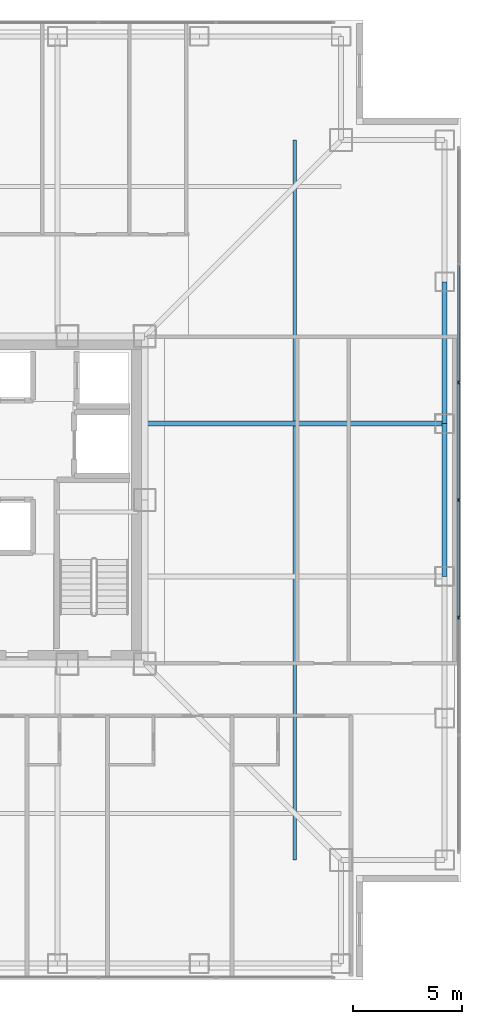
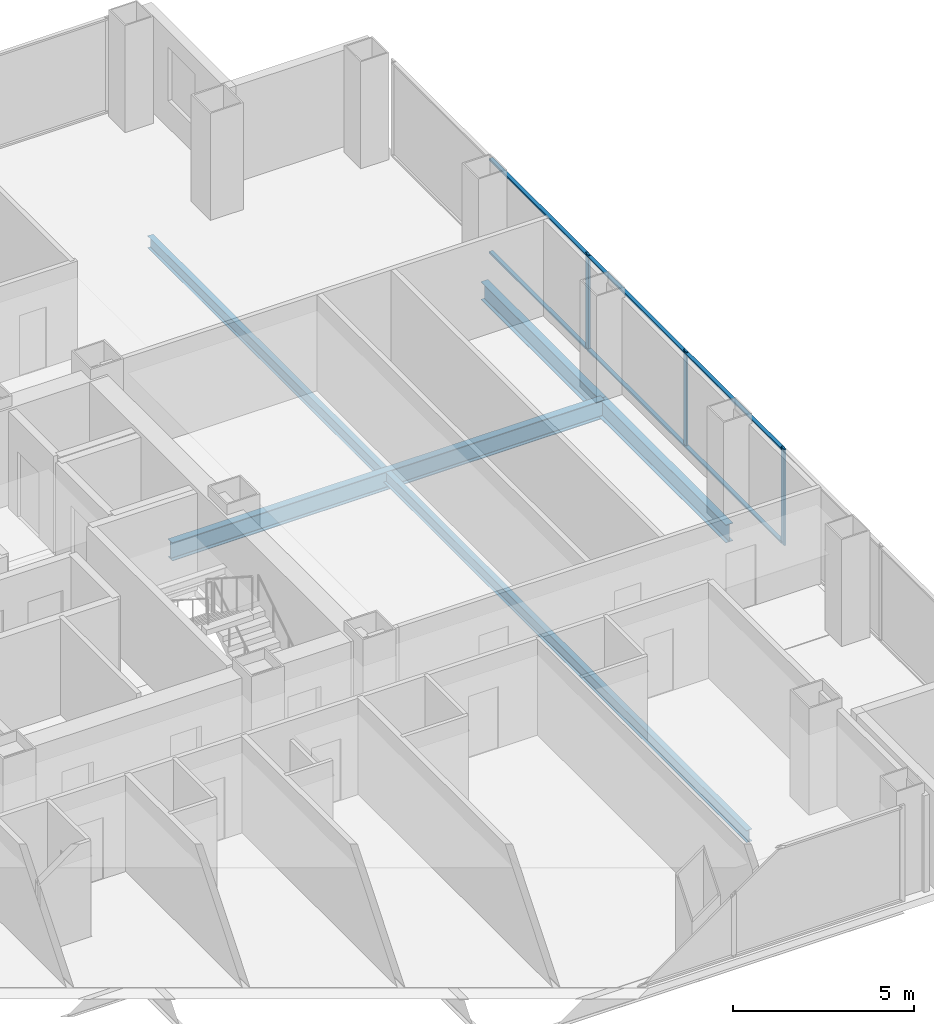
# One storey, part 8 of 18: 9 members, 4 beams, 1 element without a shape of its own.
"""IFC4 building model written with IfcOpenShell, lengths in metres."""

import ifcopenshell
import ifcopenshell.guid

model = None  # the IFC model being written
_history = None  # IfcOwnerHistory: only IFC2X3 demands one
_inside = {}  # id of a spatial element -> (the spatial element, [elements in it])
_under = {}  # id of a project, library or spatial element -> (it, [spatial elements below it])
_declared = {}  # id of a project -> (the project, [libraries it declares])
_typed = {}  # id of a type object -> (the type object, [elements of that type])
_made_of = {}  # id of a material, layer set ... -> (it, [elements and type objects made of it])


def new_model(schema):
    """Start an empty IFC model of exactly this schema.

    Asked for "IFC4X3", IfcOpenShell would pick the latest addendum, in which some entities
    have other attributes; the version numbers below select the first issue.
    IFC2X3 requires an IfcOwnerHistory on every rooted entity: one is made here for all.
    """
    global model, _history
    if schema == "IFC4X3":
        model = ifcopenshell.file(schema_version=(4, 3, 0, 0))
    else:
        model = ifcopenshell.file(schema=schema)
    _inside.clear()
    _under.clear()
    _declared.clear()
    _typed.clear()
    _made_of.clear()
    _history = None
    if model.schema == "IFC2X3":
        org = make("IfcOrganization", Name="unknown")
        user = make(
            "IfcPersonAndOrganization",
            ThePerson=make("IfcPerson", FamilyName="unknown"),
            TheOrganization=org,
        )
        app = make(
            "IfcApplication",
            ApplicationDeveloper=org,
            Version="unknown",
            ApplicationFullName="unknown",
            ApplicationIdentifier="unknown",
        )
        _history = make(
            "IfcOwnerHistory",
            OwningUser=user,
            OwningApplication=app,
            ChangeAction="ADDED",
            CreationDate=0,
        )
    return model


def make(cls, **values):
    """One entity of the class cls with the attributes given. An attribute that is None is left unset."""
    return model.create_entity(
        cls, **{name: value for name, value in values.items() if value is not None}
    )


def rooted(cls, **values):
    """An entity with a GlobalId (a new one), such as an element, a storey or a relation."""
    return make(cls, GlobalId=ifcopenshell.guid.new(), OwnerHistory=_history, **values)


def si_unit(unit_type, name, prefix=None):
    """IfcSIUnit, for example si_unit("LENGTHUNIT", "METRE", prefix="MILLI")."""
    return make("IfcSIUnit", UnitType=unit_type, Prefix=prefix, Name=name)


def assignment(units):
    """IfcUnitAssignment: the units of a project."""
    return None if units is None else make("IfcUnitAssignment", Units=units)


def point(xyz):
    """IfcCartesianPoint."""
    return None if xyz is None else make("IfcCartesianPoint", Coordinates=xyz)


def direction(xyz):
    """IfcDirection."""
    return None if xyz is None else make("IfcDirection", DirectionRatios=xyz)


def frame(location, z_axis=None, x_axis=None):
    """IfcAxis2Placement3D, a coordinate frame: its origin and axes. An axis left out is left unset."""
    return make(
        "IfcAxis2Placement3D",
        Location=point(location),
        Axis=direction(z_axis),
        RefDirection=direction(x_axis),
    )


def frame_2d(location, x_axis=None):
    """IfcAxis2Placement2D, a coordinate frame in the plane: its origin and x axis."""
    return make(
        "IfcAxis2Placement2D", Location=point(location), RefDirection=direction(x_axis)
    )


def origin():
    """The frame at (0, 0, 0) with its axes left unset."""
    return frame((0.0, 0.0, 0.0))


def origin_2d():
    """The frame at (0, 0) in the plane with its x axis left unset."""
    return frame_2d((0.0, 0.0))


def place(relative_to, where):
    """IfcLocalPlacement: puts the frame where relative to a parent placement (None: the world)."""
    return make(
        "IfcLocalPlacement", PlacementRelTo=relative_to, RelativePlacement=where
    )


def context(
    kind, dimensions, precision=None, world=None, true_north=None, identifier=None
):
    """IfcGeometricRepresentationContext, for example the 3D "Model" context."""
    return make(
        "IfcGeometricRepresentationContext",
        ContextIdentifier=identifier,
        ContextType=kind,
        CoordinateSpaceDimension=dimensions,
        Precision=precision,
        WorldCoordinateSystem=world,
        TrueNorth=true_north,
    )


def subcontext(parent, identifier, kind, view, scale=None):
    """IfcGeometricRepresentationSubContext, for example "Body" below "Model"."""
    return make(
        "IfcGeometricRepresentationSubContext",
        ContextIdentifier=identifier,
        ContextType=kind,
        ParentContext=parent,
        TargetScale=scale,
        TargetView=view,
    )


def project(units=None, contexts=None):
    """IfcProject with its units and contexts."""
    return rooted(
        "IfcProject",
        Name="project",
        RepresentationContexts=contexts,
        UnitsInContext=assignment(units),
    )


def spatial(cls, under=None, at=None, **own):
    """A site, building, storey or space (cls), placed at a placement, below another one or the project."""
    s = rooted(cls, ObjectPlacement=at, **own)
    if under is not None:
        _under.setdefault(under.id(), (under, []))[1].append(s)
    return s


def profile(cls, at=None, kind="AREA", **sizes):
    """A parametric profile (cls). Its sizes go by their IFC names, for example OverallWidth=200.0."""
    return make(cls, ProfileType=kind, Position=at, **sizes)


def rectangle(**sizes):
    """IfcRectangleProfileDef."""
    return profile("IfcRectangleProfileDef", **sizes)


def i_section(**sizes):
    """IfcIShapeProfileDef."""
    return profile("IfcIShapeProfileDef", **sizes)


def extrude(swept, where, along, depth):
    """IfcExtrudedAreaSolid: the profile swept, set in the frame where, extruded along a direction by depth."""
    return make(
        "IfcExtrudedAreaSolid",
        SweptArea=swept,
        Position=where,
        ExtrudedDirection=direction(along),
        Depth=depth,
    )


def shape(context_of_items, identifier, shape_type, items):
    """IfcShapeRepresentation: the items that make up one representation, for example the "Body"."""
    return make(
        "IfcShapeRepresentation",
        ContextOfItems=context_of_items,
        RepresentationIdentifier=identifier,
        RepresentationType=shape_type,
        Items=items,
    )


def material(Name=None, Category=None):
    """IfcMaterial."""
    return make("IfcMaterial", Name=Name, Category=Category)


def layer(
    of_material, thickness, ventilated=None, Name=None, Category=None, Priority=None
):
    """IfcMaterialLayer: one layer of a wall or slab, of a material (None: an air gap)."""
    return make(
        "IfcMaterialLayer",
        Material=of_material,
        LayerThickness=thickness,
        IsVentilated=ventilated,
        Name=Name,
        Category=Category,
        Priority=Priority,
    )


def layer_set(layers, Name=None):
    """IfcMaterialLayerSet."""
    return make("IfcMaterialLayerSet", MaterialLayers=layers, LayerSetName=Name)


def material_profile(
    of_material, cross_section, Name=None, Category=None, Priority=None
):
    """IfcMaterialProfile: a cross section and its material."""
    return make(
        "IfcMaterialProfile",
        Name=Name,
        Material=of_material,
        Profile=cross_section,
        Priority=Priority,
        Category=Category,
    )


def profile_set(profiles, Name=None, composite=None):
    """IfcMaterialProfileSet."""
    return make(
        "IfcMaterialProfileSet",
        Name=Name,
        MaterialProfiles=profiles,
        CompositeProfile=composite,
    )


def made_of(thing, what):
    """Note that an element or type object is made of a material, layer set ...; save() writes the relation."""
    if what is not None:
        _made_of.setdefault(what.id(), (what, []))[1].append(thing)
    return thing


def type_object(cls, material=None, **own):
    """A type object (cls), such as IfcWallType, which elements share."""
    return made_of(rooted(cls, **own), material)


def element(
    cls,
    number,
    at=None,
    inside=None,
    cuts=None,
    type_object=None,
    material=None,
    context=None,
    identifier="Body",
    shape_type=None,
    held_by="IfcProductDefinitionShape",
    body=None,
    shapes=None,
    **own,
):
    """One element of the class cls, such as IfcWall. Its Tag is "e" and its number.

    at: its placement. inside: the storey or other place that contains it. cuts: it is an
    opening in that element (IfcRelVoidsElement). A single representation is given by context,
    identifier, shape_type and body (its items); several are given by shapes. held_by: the class
    of the entity that holds the representations. save() writes the other relations.
    """
    e = rooted(cls, Tag="e%d" % number, ObjectPlacement=at, **own)
    if body is not None:
        shapes = [shape(context, identifier, shape_type, body)]
    if shapes is not None:
        e.Representation = make(held_by, Representations=shapes)
    if inside is not None:
        _inside.setdefault(inside.id(), (inside, []))[1].append(e)
    if cuts is not None:
        rooted(
            "IfcRelVoidsElement", RelatingBuildingElement=cuts, RelatedOpeningElement=e
        )
    if type_object is not None:
        _typed.setdefault(type_object.id(), (type_object, []))[1].append(e)
    return made_of(e, material)


def aggregate(whole, parts):
    """IfcRelAggregates: a whole, such as a stair, and the parts it consists of."""
    return rooted("IfcRelAggregates", RelatingObject=whole, RelatedObjects=parts)


def save(model, path):
    """Write the relations noted so far, then the file.

    IfcRelAggregates (storeys below a building ...), IfcRelContainedInSpatialStructure (elements
    in a storey), IfcRelDefinesByType, IfcRelAssociatesMaterial and IfcRelDeclares: one each for
    every whole, place, type object, material and project.
    """
    for whole, parts in _under.values():
        aggregate(whole, parts)
    for where, things in _inside.values():
        rooted(
            "IfcRelContainedInSpatialStructure",
            RelatedElements=things,
            RelatingStructure=where,
        )
    for kind, things in _typed.values():
        rooted("IfcRelDefinesByType", RelatedObjects=things, RelatingType=kind)
    for what, things in _made_of.values():
        rooted("IfcRelAssociatesMaterial", RelatedObjects=things, RelatingMaterial=what)
    for by, libraries in _declared.values():
        rooted("IfcRelDeclares", RelatingContext=by, RelatedDefinitions=libraries)
    model.write(path)


model = new_model("IFC4")

# Units and contexts
model_context = context("Model", 3, precision=1e-05, world=origin(), true_north=direction((0.0, 1.0)))
body_context = subcontext(model_context, "Body", "Model", "MODEL_VIEW")
ifc_project = project(units=[si_unit("LENGTHUNIT", "METRE"), si_unit("AREAUNIT", "SQUARE_METRE"), si_unit("VOLUMEUNIT", "CUBIC_METRE"), si_unit("PLANEANGLEUNIT", "RADIAN"), si_unit("MASSUNIT", "GRAM", prefix="KILO")], contexts=[model_context])

# Site, building, storey
site_placement = place(None, origin())
site = spatial("IfcSite", under=ifc_project, at=site_placement, CompositionType="ELEMENT")
building_placement = place(site_placement, origin())
building = spatial("IfcBuilding", under=site, at=building_placement, Name="Trevonay Congress Spire", CompositionType="ELEMENT")
storey_placement = place(building_placement, frame((0.0, 0.0, 151.60009765625)))
storey = spatial("IfcBuildingStorey", under=building, at=storey_placement, Name="L39", CompositionType="ELEMENT", Elevation=151.60009765625)

# Beams
ifc_material_1 = material(Name="Steel ASTM A572 Grade 50", Category="steel")
ifc_material_profile_1 = material_profile(ifc_material_1, i_section(OverallWidth=0.22998046875, OverallDepth=0.616943359375, WebThickness=0.01318359375, FlangeThickness=0.022216796875, FilletRadius=0.01611328125, at=origin_2d()), Name="W610x140")
ifc_profile_set_1 = profile_set([ifc_material_profile_1], Name="Steel ASTM A572 Grade 50")
beam_type_1 = type_object("IfcBeamType", Name="BM-GIRD-W610X140", PredefinedType="BEAM", material=ifc_profile_set_1)
beam_1_placement = place(storey_placement, frame((7.5, 3.5, -0.548583984375), z_axis=(1.0, 0.0, 0.0), x_axis=(0.0, 1.0, 0.0)))
element("IfcBeam", 1, at=beam_1_placement, inside=storey, type_object=beam_type_1, Name="L39 structural beam BM-L39-GE-P", PredefinedType="BEAM", context=body_context, shape_type="SweptSolid", body=[
    extrude(i_section(OverallWidth=0.22998046875, OverallDepth=0.616943359375, WebThickness=0.01318359375, FlangeThickness=0.022216796875, FilletRadius=0.01611328125, at=origin_2d()), origin(), (0.0, 0.0, 1.0), 13.75),
])
ifc_material_profile_2 = material_profile(ifc_material_1, i_section(OverallWidth=0.22802734375, OverallDepth=0.60791015625, WebThickness=0.01123046875, FlangeThickness=0.017333984375, FilletRadius=0.01611328125, at=origin_2d()), Name="W610x113")
ifc_profile_set_2 = profile_set([ifc_material_profile_2], Name="Steel ASTM A572 Grade 50")
beam_type_2 = type_object("IfcBeamType", Name="BM-RING-W610X113", PredefinedType="BEAM", material=ifc_profile_set_2)
beam_2_placement = place(storey_placement, frame((21.25, -3.5, -0.544189453125), z_axis=(0.0, 1.0, 0.0), x_axis=(-1.0, 0.0, 0.0)))
element("IfcBeam", 2, at=beam_2_placement, inside=storey, type_object=beam_type_2, Name="L39 structural beam BM-L39-PE3", PredefinedType="BEAM", context=body_context, shape_type="SweptSolid", body=[
    extrude(i_section(OverallWidth=0.22802734375, OverallDepth=0.60791015625, WebThickness=0.01123046875, FlangeThickness=0.017333984375, FilletRadius=0.01611328125, at=origin_2d()), origin(), (0.0, 0.0, 1.0), 7.0),
])
beam_3_placement = place(storey_placement, frame((21.25, 3.5, -0.544189453125), z_axis=(0.0, 1.0, 0.0), x_axis=(-1.0, 0.0, 0.0)))
element("IfcBeam", 3, at=beam_3_placement, inside=storey, type_object=beam_type_2, Name="L39 structural beam BM-L39-PE4", PredefinedType="BEAM", context=body_context, shape_type="SweptSolid", body=[
    extrude(i_section(OverallWidth=0.22802734375, OverallDepth=0.60791015625, WebThickness=0.01123046875, FlangeThickness=0.017333984375, FilletRadius=0.01611328125, at=origin_2d()), origin(), (0.0, 0.0, 1.0), 6.5),
])

# Curtain wall, members
ifc_material_2 = material(Name="Pale Anodised Aluminium EN AW-6063-T6", Category="aluminium")
ifc_layer = layer(ifc_material_2, 0.175048828125, Name="Pale Anodised Aluminium EN AW-6063-T6")
ifc_layer_set = layer_set([ifc_layer], Name="Pale Anodised Aluminium EN AW-6063-T6")
curtain_wall_type = type_object("IfcCurtainWallType", Name="CW-SYS03-CONGRESS-PALE-METAL", PredefinedType="NOTDEFINED", material=ifc_layer_set)
curtain_wall_placement = place(storey_placement, origin())
curtain_wall = element("IfcCurtainWall", 4, at=curtain_wall_placement, inside=storey, type_object=curtain_wall_type, Name="L39 E unitised curtain wall", PredefinedType="NOTDEFINED")
ifc_material_profile_3 = material_profile(ifc_material_2, rectangle(XDim=0.06005859375, YDim=0.159912109375, at=origin_2d()), Name="CW-MULLION-160-ALUMINIUM")
ifc_profile_set_3 = profile_set([ifc_material_profile_3], Name="Pale Anodised Aluminium EN AW-6063-T6")
member_type_1 = type_object("IfcMemberType", Name="CW-MULLION-160-ALUMINIUM", PredefinedType="MULLION", material=ifc_profile_set_3)
member_1_placement = place(storey_placement, frame((21.8798828125, -5.38330078125, 0.0), z_axis=(0.0, 0.0, 1.0), x_axis=(-1.0, 0.0, 0.0)))
member_1 = element("IfcMember", 5, at=member_1_placement, type_object=member_type_1, Name="CW03 mullion 3", PredefinedType="MULLION", context=body_context, shape_type="SweptSolid", body=[
    extrude(rectangle(XDim=0.06005859375, YDim=0.159912109375, at=origin_2d()), origin(), (0.0, 0.0, 1.0), 3.25),
])
member_2_placement = place(storey_placement, frame((21.8798828125, 0.0, 0.0), z_axis=(0.0, 0.0, 1.0), x_axis=(-1.0, 0.0, 0.0)))
member_2 = element("IfcMember", 6, at=member_2_placement, type_object=member_type_1, Name="CW03 mullion 4", PredefinedType="MULLION", context=body_context, shape_type="SweptSolid", body=[
    extrude(rectangle(XDim=0.06005859375, YDim=0.159912109375, at=origin_2d()), origin(), (0.0, 0.0, 1.0), 3.25),
])
member_3_placement = place(storey_placement, frame((21.8798828125, 5.38330078125, 0.0), z_axis=(0.0, 0.0, 1.0), x_axis=(-1.0, 0.0, 0.0)))
member_3 = element("IfcMember", 7, at=member_3_placement, type_object=member_type_1, Name="CW03 mullion 5", PredefinedType="MULLION", context=body_context, shape_type="SweptSolid", body=[
    extrude(rectangle(XDim=0.06005859375, YDim=0.159912109375, at=origin_2d()), origin(), (0.0, 0.0, 1.0), 3.25),
])
ifc_material_profile_4 = material_profile(ifc_material_2, rectangle(XDim=0.1201171875, YDim=0.06005859375, at=origin_2d()), Name="CW-TRANSOM-120-ALUMINIUM")
ifc_profile_set_4 = profile_set([ifc_material_profile_4], Name="Pale Anodised Aluminium EN AW-6063-T6")
member_type_2 = type_object("IfcMemberType", Name="CW-TRANSOM-120-ALUMINIUM", PredefinedType="USERDEFINED", material=ifc_profile_set_4)
member_4_placement = place(storey_placement, frame((21.8798828125, -5.353271484375, 0.059814453125), z_axis=(0.0, 1.0, 0.0), x_axis=(-1.0, 0.0, 0.0)))
member_4 = element("IfcMember", 8, at=member_4_placement, type_object=member_type_2, Name="CW03 transom 3.1", ObjectType="TRANSOM", PredefinedType="USERDEFINED", context=body_context, shape_type="SweptSolid", body=[
    extrude(rectangle(XDim=0.1201171875, YDim=0.06005859375, at=origin_2d()), origin(), (0.0, 0.0, 1.0), 5.3232421875),
])
member_5_placement = place(storey_placement, frame((21.8798828125, -5.353271484375, 3.18994140625), z_axis=(0.0, 1.0, 0.0), x_axis=(-1.0, 0.0, 0.0)))
member_5 = element("IfcMember", 9, at=member_5_placement, type_object=member_type_2, Name="CW03 transom 3.2", ObjectType="TRANSOM", PredefinedType="USERDEFINED", context=body_context, shape_type="SweptSolid", body=[
    extrude(rectangle(XDim=0.1201171875, YDim=0.06005859375, at=origin_2d()), origin(), (0.0, 0.0, 1.0), 5.3232421875),
])
member_6_placement = place(storey_placement, frame((21.8798828125, 0.030029296875, 0.059814453125), z_axis=(0.0, 1.0, 0.0), x_axis=(-1.0, 0.0, 0.0)))
member_6 = element("IfcMember", 10, at=member_6_placement, type_object=member_type_2, Name="CW03 transom 4.1", ObjectType="TRANSOM", PredefinedType="USERDEFINED", context=body_context, shape_type="SweptSolid", body=[
    extrude(rectangle(XDim=0.1201171875, YDim=0.06005859375, at=origin_2d()), origin(), (0.0, 0.0, 1.0), 5.3232421875),
])
member_7_placement = place(storey_placement, frame((21.8798828125, 0.030029296875, 3.18994140625), z_axis=(0.0, 1.0, 0.0), x_axis=(-1.0, 0.0, 0.0)))
member_7 = element("IfcMember", 11, at=member_7_placement, type_object=member_type_2, Name="CW03 transom 4.2", ObjectType="TRANSOM", PredefinedType="USERDEFINED", context=body_context, shape_type="SweptSolid", body=[
    extrude(rectangle(XDim=0.1201171875, YDim=0.06005859375, at=origin_2d()), origin(), (0.0, 0.0, 1.0), 5.3232421875),
])
member_8_placement = place(storey_placement, frame((21.8798828125, 5.413330078125, 0.059814453125), z_axis=(0.0, 1.0, 0.0), x_axis=(-1.0, 0.0, 0.0)))
member_8 = element("IfcMember", 12, at=member_8_placement, type_object=member_type_2, Name="CW03 transom 5.1", ObjectType="TRANSOM", PredefinedType="USERDEFINED", context=body_context, shape_type="SweptSolid", body=[
    extrude(rectangle(XDim=0.1201171875, YDim=0.06005859375, at=origin_2d()), origin(), (0.0, 0.0, 1.0), 5.3232421875),
])
member_9_placement = place(storey_placement, frame((21.8798828125, 5.413330078125, 3.18994140625), z_axis=(0.0, 1.0, 0.0), x_axis=(-1.0, 0.0, 0.0)))
member_9 = element("IfcMember", 13, at=member_9_placement, type_object=member_type_2, Name="CW03 transom 5.2", ObjectType="TRANSOM", PredefinedType="USERDEFINED", context=body_context, shape_type="SweptSolid", body=[
    extrude(rectangle(XDim=0.1201171875, YDim=0.06005859375, at=origin_2d()), origin(), (0.0, 0.0, 1.0), 5.3232421875),
])
aggregate(curtain_wall, [member_1, member_2, member_3, member_4, member_5, member_6, member_7, member_8, member_9])

# Beam
ifc_material_profile_5 = material_profile(ifc_material_1, i_section(OverallWidth=0.177978515625, OverallDepth=0.406982421875, WebThickness=0.0078125, FlangeThickness=0.0126953125, FilletRadius=0.012939453125, at=origin_2d()), Name="W410x60")
ifc_profile_set_5 = profile_set([ifc_material_profile_5], Name="Steel ASTM A572 Grade 50")
beam_type_3 = type_object("IfcBeamType", Name="JS-COMP-W410X60", PredefinedType="JOIST", material=ifc_profile_set_5)
beam_4_placement = place(storey_placement, frame((14.375, -16.5, -0.443603515625), z_axis=(0.0, 1.0, 0.0), x_axis=(-1.0, 0.0, 0.0)))
element("IfcBeam", 14, at=beam_4_placement, inside=storey, type_object=beam_type_3, Name="L39 structural beam JS-L39-RING-E", PredefinedType="JOIST", context=body_context, shape_type="SweptSolid", body=[
    extrude(i_section(OverallWidth=0.177978515625, OverallDepth=0.406982421875, WebThickness=0.0078125, FlangeThickness=0.0126953125, FilletRadius=0.012939453125, at=origin_2d()), origin(), (0.0, 0.0, 1.0), 33.0),
])

save(model, "model.ifc")
